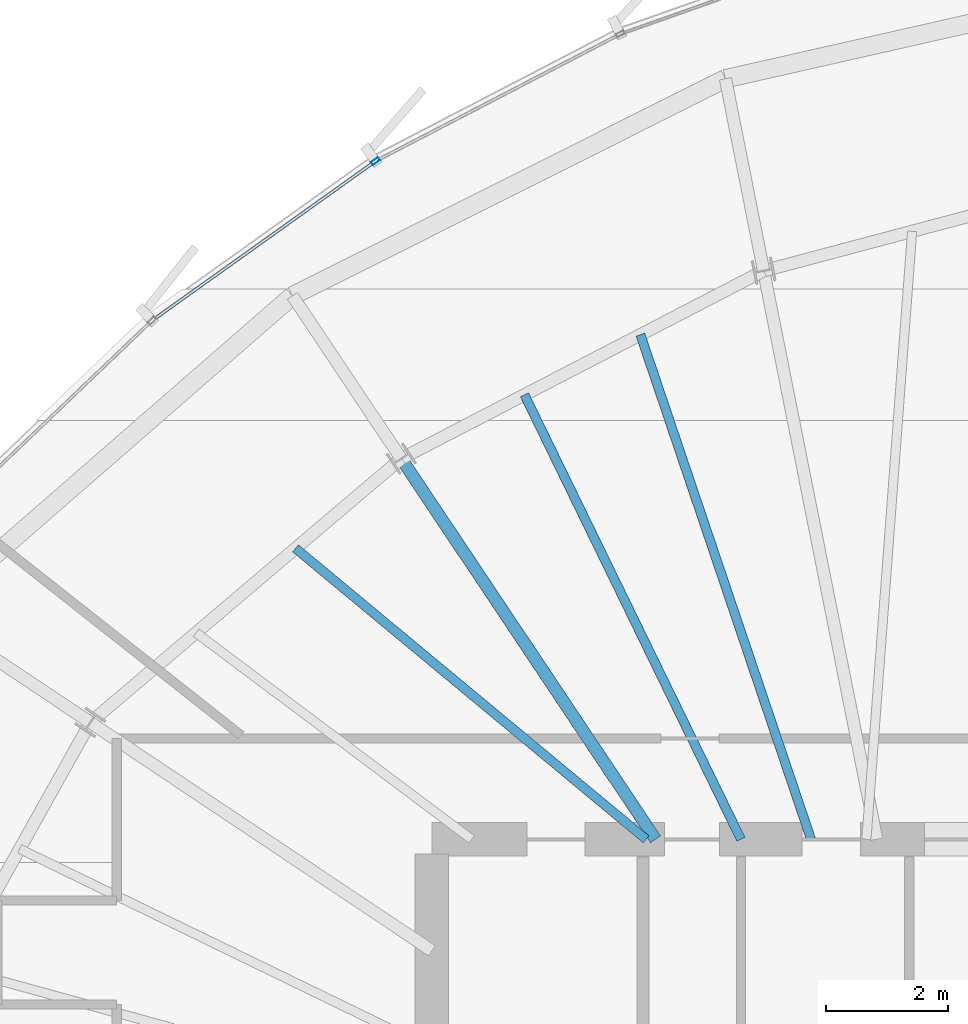
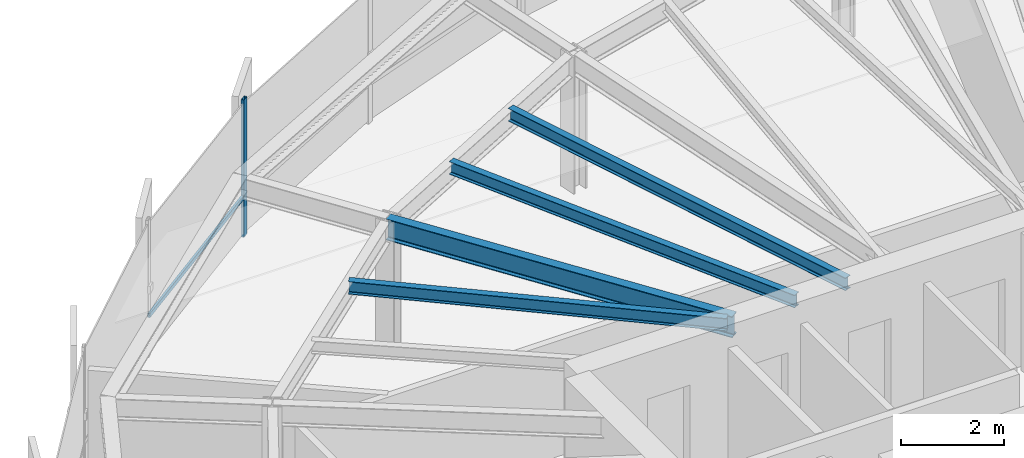
# One storey, part 21 of 35: 4 beams, 2 members, 1 element without a shape of its own.
"""IFC4 building model written with IfcOpenShell, lengths in metres."""

import ifcopenshell
import ifcopenshell.guid

model = None  # the IFC model being written
_history = None  # IfcOwnerHistory: only IFC2X3 demands one
_inside = {}  # id of a spatial element -> (the spatial element, [elements in it])
_under = {}  # id of a project, library or spatial element -> (it, [spatial elements below it])
_declared = {}  # id of a project -> (the project, [libraries it declares])
_typed = {}  # id of a type object -> (the type object, [elements of that type])
_made_of = {}  # id of a material, layer set ... -> (it, [elements and type objects made of it])


def new_model(schema):
    """Start an empty IFC model of exactly this schema.

    Asked for "IFC4X3", IfcOpenShell would pick the latest addendum, in which some entities
    have other attributes; the version numbers below select the first issue.
    IFC2X3 requires an IfcOwnerHistory on every rooted entity: one is made here for all.
    """
    global model, _history
    if schema == "IFC4X3":
        model = ifcopenshell.file(schema_version=(4, 3, 0, 0))
    else:
        model = ifcopenshell.file(schema=schema)
    _inside.clear()
    _under.clear()
    _declared.clear()
    _typed.clear()
    _made_of.clear()
    _history = None
    if model.schema == "IFC2X3":
        org = make("IfcOrganization", Name="unknown")
        user = make(
            "IfcPersonAndOrganization",
            ThePerson=make("IfcPerson", FamilyName="unknown"),
            TheOrganization=org,
        )
        app = make(
            "IfcApplication",
            ApplicationDeveloper=org,
            Version="unknown",
            ApplicationFullName="unknown",
            ApplicationIdentifier="unknown",
        )
        _history = make(
            "IfcOwnerHistory",
            OwningUser=user,
            OwningApplication=app,
            ChangeAction="ADDED",
            CreationDate=0,
        )
    return model


def make(cls, **values):
    """One entity of the class cls with the attributes given. An attribute that is None is left unset."""
    return model.create_entity(
        cls, **{name: value for name, value in values.items() if value is not None}
    )


def rooted(cls, **values):
    """An entity with a GlobalId (a new one), such as an element, a storey or a relation."""
    return make(cls, GlobalId=ifcopenshell.guid.new(), OwnerHistory=_history, **values)


def si_unit(unit_type, name, prefix=None):
    """IfcSIUnit, for example si_unit("LENGTHUNIT", "METRE", prefix="MILLI")."""
    return make("IfcSIUnit", UnitType=unit_type, Prefix=prefix, Name=name)


def assignment(units):
    """IfcUnitAssignment: the units of a project."""
    return None if units is None else make("IfcUnitAssignment", Units=units)


def point(xyz):
    """IfcCartesianPoint."""
    return None if xyz is None else make("IfcCartesianPoint", Coordinates=xyz)


def direction(xyz):
    """IfcDirection."""
    return None if xyz is None else make("IfcDirection", DirectionRatios=xyz)


def frame(location, z_axis=None, x_axis=None):
    """IfcAxis2Placement3D, a coordinate frame: its origin and axes. An axis left out is left unset."""
    return make(
        "IfcAxis2Placement3D",
        Location=point(location),
        Axis=direction(z_axis),
        RefDirection=direction(x_axis),
    )


def frame_2d(location, x_axis=None):
    """IfcAxis2Placement2D, a coordinate frame in the plane: its origin and x axis."""
    return make(
        "IfcAxis2Placement2D", Location=point(location), RefDirection=direction(x_axis)
    )


def origin():
    """The frame at (0, 0, 0) with its axes left unset."""
    return frame((0.0, 0.0, 0.0))


def origin_2d():
    """The frame at (0, 0) in the plane with its x axis left unset."""
    return frame_2d((0.0, 0.0))


def place(relative_to, where):
    """IfcLocalPlacement: puts the frame where relative to a parent placement (None: the world)."""
    return make(
        "IfcLocalPlacement", PlacementRelTo=relative_to, RelativePlacement=where
    )


def context(
    kind, dimensions, precision=None, world=None, true_north=None, identifier=None
):
    """IfcGeometricRepresentationContext, for example the 3D "Model" context."""
    return make(
        "IfcGeometricRepresentationContext",
        ContextIdentifier=identifier,
        ContextType=kind,
        CoordinateSpaceDimension=dimensions,
        Precision=precision,
        WorldCoordinateSystem=world,
        TrueNorth=true_north,
    )


def subcontext(parent, identifier, kind, view, scale=None):
    """IfcGeometricRepresentationSubContext, for example "Body" below "Model"."""
    return make(
        "IfcGeometricRepresentationSubContext",
        ContextIdentifier=identifier,
        ContextType=kind,
        ParentContext=parent,
        TargetScale=scale,
        TargetView=view,
    )


def project(units=None, contexts=None):
    """IfcProject with its units and contexts."""
    return rooted(
        "IfcProject",
        Name="project",
        RepresentationContexts=contexts,
        UnitsInContext=assignment(units),
    )


def spatial(cls, under=None, at=None, **own):
    """A site, building, storey or space (cls), placed at a placement, below another one or the project."""
    s = rooted(cls, ObjectPlacement=at, **own)
    if under is not None:
        _under.setdefault(under.id(), (under, []))[1].append(s)
    return s


def profile(cls, at=None, kind="AREA", **sizes):
    """A parametric profile (cls). Its sizes go by their IFC names, for example OverallWidth=200.0."""
    return make(cls, ProfileType=kind, Position=at, **sizes)


def hollow_rectangle(**sizes):
    """IfcRectangleHollowProfileDef."""
    return profile("IfcRectangleHollowProfileDef", **sizes)


def i_section(**sizes):
    """IfcIShapeProfileDef."""
    return profile("IfcIShapeProfileDef", **sizes)


def extrude(swept, where, along, depth):
    """IfcExtrudedAreaSolid: the profile swept, set in the frame where, extruded along a direction by depth."""
    return make(
        "IfcExtrudedAreaSolid",
        SweptArea=swept,
        Position=where,
        ExtrudedDirection=direction(along),
        Depth=depth,
    )


def shape(context_of_items, identifier, shape_type, items):
    """IfcShapeRepresentation: the items that make up one representation, for example the "Body"."""
    return make(
        "IfcShapeRepresentation",
        ContextOfItems=context_of_items,
        RepresentationIdentifier=identifier,
        RepresentationType=shape_type,
        Items=items,
    )


def source(mapping_origin, context_of_items, identifier, shape_type, items):
    """IfcRepresentationMap: a shape defined once, which mapped items show again and again."""
    return make(
        "IfcRepresentationMap",
        MappingOrigin=mapping_origin,
        MappedRepresentation=shape(context_of_items, identifier, shape_type, items),
    )


def transform(
    local_origin,
    x_axis=None,
    y_axis=None,
    z_axis=None,
    scale=None,
    scale2=None,
    scale3=None,
    uniform=True,
):
    """IfcCartesianTransformationOperator3D, or its non-uniform kind. x_axis, y_axis, z_axis: its Axis1, 2, 3."""
    if uniform:
        return make(
            "IfcCartesianTransformationOperator3D",
            Axis1=direction(x_axis),
            Axis2=direction(y_axis),
            LocalOrigin=point(local_origin),
            Scale=scale,
            Axis3=direction(z_axis),
        )
    return make(
        "IfcCartesianTransformationOperator3DnonUniform",
        Axis1=direction(x_axis),
        Axis2=direction(y_axis),
        LocalOrigin=point(local_origin),
        Scale=scale,
        Axis3=direction(z_axis),
        Scale2=scale2,
        Scale3=scale3,
    )


def mapped(mapping_source, mapping_target):
    """IfcMappedItem: shows the shape of a source again, moved by a transform."""
    return make(
        "IfcMappedItem", MappingSource=mapping_source, MappingTarget=mapping_target
    )


def material(Name=None, Category=None):
    """IfcMaterial."""
    return make("IfcMaterial", Name=Name, Category=Category)


def layer(
    of_material, thickness, ventilated=None, Name=None, Category=None, Priority=None
):
    """IfcMaterialLayer: one layer of a wall or slab, of a material (None: an air gap)."""
    return make(
        "IfcMaterialLayer",
        Material=of_material,
        LayerThickness=thickness,
        IsVentilated=ventilated,
        Name=Name,
        Category=Category,
        Priority=Priority,
    )


def layer_set(layers, Name=None):
    """IfcMaterialLayerSet."""
    return make("IfcMaterialLayerSet", MaterialLayers=layers, LayerSetName=Name)


def material_profile(
    of_material, cross_section, Name=None, Category=None, Priority=None
):
    """IfcMaterialProfile: a cross section and its material."""
    return make(
        "IfcMaterialProfile",
        Name=Name,
        Material=of_material,
        Profile=cross_section,
        Priority=Priority,
        Category=Category,
    )


def profile_set(profiles, Name=None, composite=None):
    """IfcMaterialProfileSet."""
    return make(
        "IfcMaterialProfileSet",
        Name=Name,
        MaterialProfiles=profiles,
        CompositeProfile=composite,
    )


def made_of(thing, what):
    """Note that an element or type object is made of a material, layer set ...; save() writes the relation."""
    if what is not None:
        _made_of.setdefault(what.id(), (what, []))[1].append(thing)
    return thing


def type_object(cls, material=None, **own):
    """A type object (cls), such as IfcWallType, which elements share."""
    return made_of(rooted(cls, **own), material)


def element(
    cls,
    number,
    at=None,
    inside=None,
    cuts=None,
    type_object=None,
    material=None,
    context=None,
    identifier="Body",
    shape_type=None,
    held_by="IfcProductDefinitionShape",
    body=None,
    shapes=None,
    **own,
):
    """One element of the class cls, such as IfcWall. Its Tag is "e" and its number.

    at: its placement. inside: the storey or other place that contains it. cuts: it is an
    opening in that element (IfcRelVoidsElement). A single representation is given by context,
    identifier, shape_type and body (its items); several are given by shapes. held_by: the class
    of the entity that holds the representations. save() writes the other relations.
    """
    e = rooted(cls, Tag="e%d" % number, ObjectPlacement=at, **own)
    if body is not None:
        shapes = [shape(context, identifier, shape_type, body)]
    if shapes is not None:
        e.Representation = make(held_by, Representations=shapes)
    if inside is not None:
        _inside.setdefault(inside.id(), (inside, []))[1].append(e)
    if cuts is not None:
        rooted(
            "IfcRelVoidsElement", RelatingBuildingElement=cuts, RelatedOpeningElement=e
        )
    if type_object is not None:
        _typed.setdefault(type_object.id(), (type_object, []))[1].append(e)
    return made_of(e, material)


def aggregate(whole, parts):
    """IfcRelAggregates: a whole, such as a stair, and the parts it consists of."""
    return rooted("IfcRelAggregates", RelatingObject=whole, RelatedObjects=parts)


def save(model, path):
    """Write the relations noted so far, then the file.

    IfcRelAggregates (storeys below a building ...), IfcRelContainedInSpatialStructure (elements
    in a storey), IfcRelDefinesByType, IfcRelAssociatesMaterial and IfcRelDeclares: one each for
    every whole, place, type object, material and project.
    """
    for whole, parts in _under.values():
        aggregate(whole, parts)
    for where, things in _inside.values():
        rooted(
            "IfcRelContainedInSpatialStructure",
            RelatedElements=things,
            RelatingStructure=where,
        )
    for kind, things in _typed.values():
        rooted("IfcRelDefinesByType", RelatedObjects=things, RelatingType=kind)
    for what, things in _made_of.values():
        rooted("IfcRelAssociatesMaterial", RelatedObjects=things, RelatingMaterial=what)
    for by, libraries in _declared.values():
        rooted("IfcRelDeclares", RelatingContext=by, RelatedDefinitions=libraries)
    model.write(path)


model = new_model("IFC4")

# Units and contexts
model_context = context("Model", 3, precision=1e-05, world=origin(), true_north=direction((0.0, 1.0)))
body_context = subcontext(model_context, "Body", "Model", "MODEL_VIEW")
ifc_project = project(units=[si_unit("LENGTHUNIT", "METRE"), si_unit("AREAUNIT", "SQUARE_METRE"), si_unit("VOLUMEUNIT", "CUBIC_METRE"), si_unit("PLANEANGLEUNIT", "RADIAN"), si_unit("MASSUNIT", "GRAM", prefix="KILO"), si_unit("THERMODYNAMICTEMPERATUREUNIT", "KELVIN")], contexts=[model_context])

# Site, building, storey
site_placement = place(None, origin())
site = spatial("IfcSite", under=ifc_project, at=site_placement, CompositionType="ELEMENT")
building_placement = place(site_placement, origin())
building = spatial("IfcBuilding", under=site, at=building_placement, Name="Kethvar Cultural Tower", CompositionType="ELEMENT")
storey_placement = place(building_placement, frame((0.0, 0.0, 193.89990234375)))
storey = spatial("IfcBuildingStorey", under=building, at=storey_placement, Name="L50", CompositionType="ELEMENT", Elevation=193.89990234375)

# Beams
ifc_material_1 = material(Name="Steel S355J2", Category="steel")
ifc_material_profile_1 = material_profile(ifc_material_1, i_section(OverallWidth=0.199951171875, OverallDepth=0.5, WebThickness=0.01025390625, FlangeThickness=0.01611328125, FilletRadius=0.02099609375, at=origin_2d()), Name="Steel S355J2 — IPE500")
ifc_profile_set_1 = profile_set([ifc_material_profile_1], Name="Steel S355J2 — IPE500")
beam_type_1 = type_object("IfcBeamType", Name="BM-IPE500", PredefinedType="BEAM", material=ifc_profile_set_1)
shared_shape_1 = source(origin(), body_context, "Body", "SweptSolid", [
    extrude(i_section(OverallWidth=0.199951171875, OverallDepth=0.5, WebThickness=0.01025390625, FlangeThickness=0.01611328125, FilletRadius=0.02099609375, at=origin_2d()), origin(), (0.0, 0.0, 1.0), 7.481201171875),
])
beam_1_placement = place(storey_placement, frame((41.655029296875, 35.5, 3.008056640625), z_axis=(-0.55555842186, 0.831477504146, 0.0), x_axis=(-0.831477504146, -0.55555842186, 0.0)))
element("IfcBeam", 1, at=beam_1_placement, inside=storey, type_object=beam_type_1, Name="L50 Primary Radial Beam RB-06", PredefinedType="BEAM", context=body_context, shape_type="MappedRepresentation", body=[
    mapped(shared_shape_1, transform((0.0, 0.0, 0.0), scale=1.0)),
])
ifc_material_profile_2 = material_profile(ifc_material_1, i_section(OverallWidth=0.14990234375, OverallDepth=0.300048828125, WebThickness=0.007080078125, FlangeThickness=0.0107421875, FilletRadius=0.014892578125, at=origin_2d()), Name="Steel S355J2 — IPE300")
ifc_profile_set_2 = profile_set([ifc_material_profile_2], Name="Steel S355J2 — IPE300")
beam_type_2 = type_object("IfcBeamType", Name="BM-J300", PredefinedType="JOIST", material=ifc_profile_set_2)
shared_shape_2 = source(origin(), body_context, "Body", "SweptSolid", [
    extrude(i_section(OverallWidth=0.14990234375, OverallDepth=0.300048828125, WebThickness=0.007080078125, FlangeThickness=0.0107421875, FilletRadius=0.014892578125, at=origin_2d()), origin(), (0.0, 0.0, 1.0), 8.70458984375),
])
beam_2_placement = place(storey_placement, frame((44.19580078125, 35.5, 3.108154296875), z_axis=(-0.320356133074, 0.947297180404, 0.0), x_axis=(-0.947297180404, -0.320356133074, 0.0)))
element("IfcBeam", 2, at=beam_2_placement, inside=storey, type_object=beam_type_2, Name="L50 Composite Floor Joist J-05A", PredefinedType="JOIST", context=body_context, shape_type="MappedRepresentation", body=[
    mapped(shared_shape_2, transform((0.0, 0.0, 0.0), scale=1.0)),
])
shared_shape_3 = source(origin(), body_context, "Body", "SweptSolid", [
    extrude(i_section(OverallWidth=0.14990234375, OverallDepth=0.300048828125, WebThickness=0.007080078125, FlangeThickness=0.0107421875, FilletRadius=0.014892578125, at=origin_2d()), origin(), (0.0, 0.0, 1.0), 8.07958984375),
])
beam_3_placement = place(storey_placement, frame((43.0498046875, 35.5, 3.108154296875), z_axis=(-0.437846062021, 0.89904995744, 0.0), x_axis=(-0.89904995744, -0.437846062021, 0.0)))
element("IfcBeam", 3, at=beam_3_placement, inside=storey, type_object=beam_type_2, Name="L50 Composite Floor Joist J-05B", PredefinedType="JOIST", context=body_context, shape_type="MappedRepresentation", body=[
    mapped(shared_shape_3, transform((0.0, 0.0, 0.0), scale=1.0)),
])
shared_shape_4 = source(origin(), body_context, "Body", "SweptSolid", [
    extrude(i_section(OverallWidth=0.14990234375, OverallDepth=0.300048828125, WebThickness=0.007080078125, FlangeThickness=0.0107421875, FilletRadius=0.014892578125, at=origin_2d()), origin(), (0.0, 0.0, 1.0), 7.444580078125),
])
beam_4_placement = place(storey_placement, frame((41.5, 35.5, 3.108154296875), z_axis=(-0.769483166858, 0.638667093188, 0.0), x_axis=(-0.638667093188, -0.769483166858, 0.0)))
element("IfcBeam", 4, at=beam_4_placement, inside=storey, type_object=beam_type_2, Name="L50 Composite Floor Joist J-06A", PredefinedType="JOIST", context=body_context, shape_type="MappedRepresentation", body=[
    mapped(shared_shape_4, transform((0.0, 0.0, 0.0), scale=1.0)),
])

# Curtain wall, members
ifc_material_2 = material(Name="Aluminium 6063-T6", Category="aluminium")
ifc_layer = layer(ifc_material_2, 0.179931640625, Name="Aluminium 6063-T6", Category="aluminium")
ifc_layer_set = layer_set([ifc_layer], Name="Aluminium 6063-T6 (180 mm)")
curtain_wall_type = type_object("IfcCurtainWallType", Name="CW-SYS-04-Z34", PredefinedType="NOTDEFINED", material=ifc_layer_set)
curtain_wall_placement = place(storey_placement, origin())
curtain_wall = element("IfcCurtainWall", 5, at=curtain_wall_placement, inside=storey, type_object=curtain_wall_type, Name="L50 Curtain Wall Run 02", PredefinedType="NOTDEFINED")
ifc_material_profile_3 = material_profile(ifc_material_2, hollow_rectangle(XDim=0.06005859375, YDim=0.139892578125, WallThickness=0.0048828125, at=origin_2d()), Name="Aluminium 6063-T6 — RHS140x60x5")
ifc_profile_set_3 = profile_set([ifc_material_profile_3], Name="Aluminium 6063-T6 — RHS140x60x5")
member_type_1 = type_object("IfcMemberType", Name="CW-SYS-04-Z34-MUL", PredefinedType="MULLION", material=ifc_profile_set_3)
shared_shape_5 = source(origin(), body_context, "Body", "SweptSolid", [
    extrude(hollow_rectangle(XDim=0.06005859375, YDim=0.139892578125, WallThickness=0.0048828125, at=origin_2d()), origin(), (0.0, 0.0, 1.0), 3.260009765625),
])
member_1_placement = place(storey_placement, frame((37.078369140625, 46.58203125, 0.0), z_axis=(0.0, 0.0, 1.0), x_axis=(0.580930277006, -0.813953323758, 0.0)))
member_1 = element("IfcMember", 6, at=member_1_placement, type_object=member_type_1, Name="CW-L50-R02 Mullion 3", PredefinedType="MULLION", context=body_context, shape_type="MappedRepresentation", body=[
    mapped(shared_shape_5, transform((0.0, 0.0, 0.0), scale=1.0)),
])
ifc_material_profile_4 = material_profile(ifc_material_2, hollow_rectangle(XDim=0.050048828125, YDim=0.10009765625, WallThickness=0.00390625, at=origin_2d()), Name="Aluminium 6063-T6 — RHS100x50x4")
ifc_profile_set_4 = profile_set([ifc_material_profile_4], Name="Aluminium 6063-T6 — RHS100x50x4")
member_type_2 = type_object("IfcMemberType", Name="CW-SYS-04-Z34-TRN", PredefinedType="USERDEFINED", material=ifc_profile_set_4)
shared_shape_6 = source(origin(), body_context, "Body", "SweptSolid", [
    extrude(hollow_rectangle(XDim=0.050048828125, YDim=0.10009765625, WallThickness=0.00390625, at=origin_2d()), origin(), (0.0, 0.0, 1.0), 4.414306640625),
])
member_2_placement = place(storey_placement, frame((37.043212890625, 46.556884765625, 0.9501953125), z_axis=(-0.813946421502, -0.580939947778, 0.0), x_axis=(0.580939947778, -0.813946421502, 0.0)))
member_2 = element("IfcMember", 7, at=member_2_placement, type_object=member_type_2, Name="CW-L50-R02 Transom 3", ObjectType="TRANSOM", PredefinedType="USERDEFINED", context=body_context, shape_type="MappedRepresentation", body=[
    mapped(shared_shape_6, transform((0.0, 0.0, 0.0), scale=1.0)),
])
aggregate(curtain_wall, [member_1, member_2])

save(model, "model.ifc")
